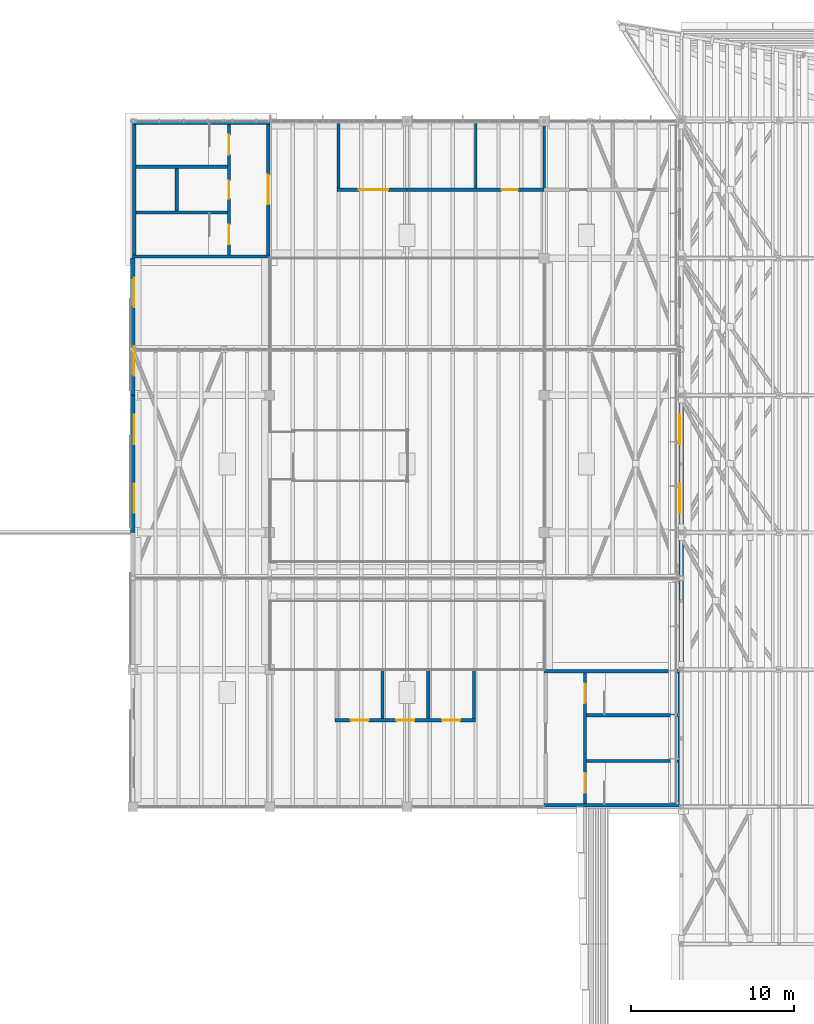
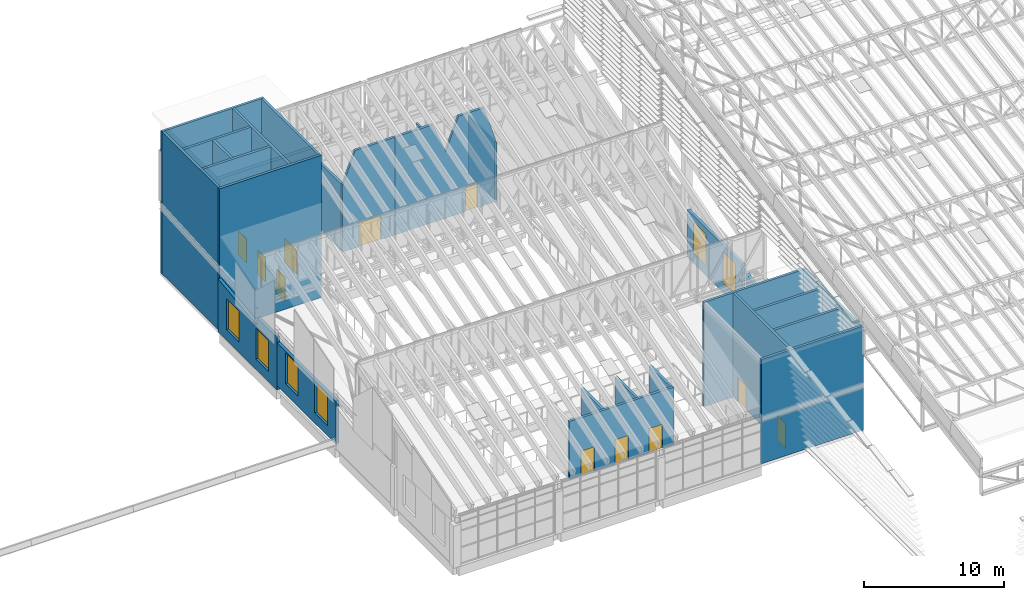
# One storey, part 64 of 91: 27 walls, 11 doors, 6 windows, 17 openings.
"""IFC4 building model written with IfcOpenShell, lengths in metres."""

from ifc_helpers import new_model, si_unit, direction, frame, frame_2d, origin, place, context, subcontext, project, spatial, polyline, rectangle, outline, extrude, material, layer, layer_set, type_object, element, fill, save


model = new_model("IFC4")

# Units and contexts
model_context = context("Model", 3, precision=1e-05, world=origin(), true_north=direction((0.0, 1.0)))
body_context = subcontext(model_context, "Body", "Model", "MODEL_VIEW")
ifc_project = project(units=[si_unit("LENGTHUNIT", "METRE"), si_unit("AREAUNIT", "SQUARE_METRE"), si_unit("VOLUMEUNIT", "CUBIC_METRE"), si_unit("PLANEANGLEUNIT", "RADIAN"), si_unit("MASSUNIT", "GRAM", prefix="KILO")], contexts=[model_context])

# Site, building, storey
site_placement = place(None, origin())
site = spatial("IfcSite", under=ifc_project, at=site_placement, CompositionType="ELEMENT")
building_placement = place(site_placement, origin())
building = spatial("IfcBuilding", under=site, at=building_placement, Name="Almond Square Museum", CompositionType="ELEMENT")
storey_placement = place(building_placement, frame((0.0, 0.0, 30.0)))
storey = spatial("IfcBuildingStorey", under=building, at=storey_placement, Name="L05", CompositionType="ELEMENT", Elevation=30.0)

# Wall
ifc_material_1 = material(Name="Concrete C30/37", Category="concrete")
ifc_layer_1 = layer(ifc_material_1, 0.260009765625)
ifc_layer_set_1 = layer_set([ifc_layer_1], Name="Concrete C30/37")
wall_type_1 = type_object("IfcWallType", Name="Atrium gable wall 260 with timber fins", PredefinedType="SOLIDWALL", material=ifc_layer_set_1)
wall_1_placement = place(storey_placement, frame((106.800048828125, 75.60009765625, 0.0), z_axis=(0.0, 0.0, 1.0), x_axis=(0.0, 1.0, 0.0)))
element("IfcWall", 1, at=wall_1_placement, inside=storey, type_object=wall_type_1, Name="External wall W7 V2 L05 E01", PredefinedType="SOLIDWALL", context=body_context, shape_type="SweptSolid", body=[
    extrude(outline(polyline([(0.0, 0.0), (8.099853515625, 0.0), (8.10009765625, 3.643310546875), (5.60107421875, 3.137451171875), (5.59912109375, 3.643310546875), (0.0, 3.643310546875), (0.0, 0.0)])), frame((0.0, 0.1298828125, 0.0), z_axis=(0.0, -1.0, 0.0), x_axis=(1.0, 0.0, 0.0)), (0.0, 0.0, 1.0), 0.260009765625),
])

# Wall, openings, windows
wall_2_placement = place(storey_placement, frame((106.800048828125, 84.300048828125, 0.0), z_axis=(0.0, 0.0, 1.0), x_axis=(0.0, 1.0, 0.0)))
wall_2 = element("IfcWall", 2, at=wall_2_placement, inside=storey, type_object=wall_type_1, Name="External wall W7 V2 L05 E02", PredefinedType="SOLIDWALL", context=body_context, shape_type="SweptSolid", body=[
    extrude(outline(polyline([(0.0, 0.0), (7.800048828125, 0.0), (7.800048828125, 4.123291015625), (0.0, 4.123291015625), (0.0, 0.0)])), frame((0.0, 0.1298828125, 0.0), z_axis=(0.0, -1.0, 0.0), x_axis=(1.0, 0.0, 0.0)), (0.0, 0.0, 1.0), 0.260009765625),
])
opening_1_placement = place(wall_2_placement, frame((0.89990234375, 0.0, 0.89990234375)))
opening_1 = element("IfcOpeningElement", 3, at=opening_1_placement, cuts=wall_2, Name="Opening W5001", PredefinedType="OPENING", context=body_context, shape_type="SweptSolid", body=[
    extrude(rectangle(XDim=1.800048828125, YDim=2.699951171875, at=frame_2d((0.89990234375, 1.35009765625))), frame((0.0, 0.139892578125, 0.0), z_axis=(0.0, -1.0, 0.0), x_axis=(1.0, 0.0, 0.0)), (0.0, 0.0, 1.0), 0.280029296875),
])
opening_2_placement = place(wall_2_placement, frame((5.10009765625, 0.0, 0.89990234375)))
opening_2 = element("IfcOpeningElement", 4, at=opening_2_placement, cuts=wall_2, Name="Opening W5002", PredefinedType="OPENING", context=body_context, shape_type="SweptSolid", body=[
    extrude(rectangle(XDim=1.800048828125, YDim=2.699951171875, at=frame_2d((0.89990234375, 1.35009765625))), frame((0.0, 0.139892578125, 0.0), z_axis=(0.0, -1.0, 0.0), x_axis=(1.0, 0.0, 0.0)), (0.0, 0.0, 1.0), 0.280029296875),
])
ifc_material_2 = material(Name="Aluminium frame and laminated glass", Category="aluminium")
window_type = type_object("IfcWindowType", Name="Fixed gallery window", PartitioningType="SINGLE_PANEL", PredefinedType="WINDOW", material=ifc_material_2)
window_1_placement = place(opening_1_placement, origin())
window_1 = element("IfcWindow", 5, at=window_1_placement, inside=storey, type_object=window_type, Name="Fixed gallery window W5001", OverallHeight=2.699951171875, OverallWidth=1.800048828125, PartitioningType="SINGLE_PANEL", PredefinedType="WINDOW", context=body_context, shape_type="SweptSolid", body=[
    extrude(rectangle(XDim=1.800048828125, YDim=2.699951171875, at=frame_2d((0.89990234375, 1.35009765625))), frame((0.0, 0.110107421875, 0.0), z_axis=(0.0, -1.0, 0.0), x_axis=(1.0, 0.0, 0.0)), (0.0, 0.0, 1.0), 0.06005859375),
])
fill(opening_1, window_1)
window_2_placement = place(opening_2_placement, origin())
window_2 = element("IfcWindow", 6, at=window_2_placement, inside=storey, type_object=window_type, Name="Fixed gallery window W5002", OverallHeight=2.699951171875, OverallWidth=1.800048828125, PartitioningType="SINGLE_PANEL", PredefinedType="WINDOW", context=body_context, shape_type="SweptSolid", body=[
    extrude(rectangle(XDim=1.800048828125, YDim=2.699951171875, at=frame_2d((0.89990234375, 1.35009765625))), frame((0.0, 0.110107421875, 0.0), z_axis=(0.0, -1.0, 0.0), x_axis=(1.0, 0.0, 0.0)), (0.0, 0.0, 1.0), 0.06005859375),
])
fill(opening_2, window_2)

wall_3_placement = place(storey_placement, frame((73.199951171875, 92.39990234375, 0.0), z_axis=(0.0, 0.0, 1.0), x_axis=(0.0, 1.0, 0.0)))
wall_3 = element("IfcWall", 7, at=wall_3_placement, inside=storey, type_object=wall_type_1, Name="External wall W7 V2 L05 W01", PredefinedType="SOLIDWALL", context=body_context, shape_type="SweptSolid", body=[
    extrude(outline(polyline([(0.0, 0.0), (8.400146484375, 0.0), (8.39990234375, 4.603271484375), (2.801025390625, 3.9375), (2.799072265625, 4.603271484375), (0.0, 4.603271484375), (0.0, 0.0)])), frame((0.0, 0.1298828125, 0.0), z_axis=(0.0, -1.0, 0.0), x_axis=(1.0, 0.0, 0.0)), (0.0, 0.0, 1.0), 0.260009765625),
])
opening_3_placement = place(wall_3_placement, frame((1.199951171875, 0.0, 0.89990234375)))
opening_3 = element("IfcOpeningElement", 8, at=opening_3_placement, cuts=wall_3, Name="Opening W5007", PredefinedType="OPENING", context=body_context, shape_type="SweptSolid", body=[
    extrude(rectangle(XDim=1.800048828125, YDim=2.699951171875, at=frame_2d((0.89990234375, 1.35009765625))), frame((0.0, 0.139892578125, 0.0), z_axis=(0.0, -1.0, 0.0), x_axis=(1.0, 0.0, 0.0)), (0.0, 0.0, 1.0), 0.280029296875),
])
opening_4_placement = place(wall_3_placement, frame((5.39990234375, 0.0, 0.89990234375)))
opening_4 = element("IfcOpeningElement", 9, at=opening_4_placement, cuts=wall_3, Name="Opening W5008", PredefinedType="OPENING", context=body_context, shape_type="SweptSolid", body=[
    extrude(rectangle(XDim=1.800048828125, YDim=2.699951171875, at=frame_2d((0.89990234375, 1.35009765625))), frame((0.0, 0.139892578125, 0.0), z_axis=(0.0, -1.0, 0.0), x_axis=(1.0, 0.0, 0.0)), (0.0, 0.0, 1.0), 0.280029296875),
])
window_3_placement = place(opening_3_placement, origin())
window_3 = element("IfcWindow", 10, at=window_3_placement, inside=storey, type_object=window_type, Name="Fixed gallery window W5007", OverallHeight=2.699951171875, OverallWidth=1.800048828125, PartitioningType="SINGLE_PANEL", PredefinedType="WINDOW", context=body_context, shape_type="SweptSolid", body=[
    extrude(rectangle(XDim=1.800048828125, YDim=2.699951171875, at=frame_2d((0.89990234375, 1.35009765625))), frame((0.0, -0.050048828125, 0.0), z_axis=(0.0, -1.0, 0.0), x_axis=(1.0, 0.0, 0.0)), (0.0, 0.0, 1.0), 0.06005859375),
])
fill(opening_3, window_3)
window_4_placement = place(opening_4_placement, origin())
window_4 = element("IfcWindow", 11, at=window_4_placement, inside=storey, type_object=window_type, Name="Fixed gallery window W5008", OverallHeight=2.699951171875, OverallWidth=1.800048828125, PartitioningType="SINGLE_PANEL", PredefinedType="WINDOW", context=body_context, shape_type="SweptSolid", body=[
    extrude(rectangle(XDim=1.800048828125, YDim=2.699951171875, at=frame_2d((0.89990234375, 1.35009765625))), frame((0.0, -0.050048828125, 0.0), z_axis=(0.0, -1.0, 0.0), x_axis=(1.0, 0.0, 0.0)), (0.0, 0.0, 1.0), 0.06005859375),
])
fill(opening_4, window_4)

wall_4_placement = place(storey_placement, frame((73.199951171875, 84.0, 0.39990234375), z_axis=(0.0, 0.0, 1.0), x_axis=(0.0, 1.0, 0.0)))
wall_4 = element("IfcWall", 12, at=wall_4_placement, inside=storey, type_object=wall_type_1, Name="External wall W7 V2 L05 W02", PredefinedType="SOLIDWALL", context=body_context, shape_type="SweptSolid", body=[
    extrude(outline(polyline([(0.0, 0.0), (8.39990234375, 0.0), (8.39990234375, 3.723388671875), (0.0, 3.723388671875), (0.0, 0.0)])), frame((0.0, 0.1298828125, 0.0), z_axis=(0.0, -1.0, 0.0), x_axis=(1.0, 0.0, 0.0)), (0.0, 0.0, 1.0), 0.260009765625),
])
opening_5_placement = place(wall_4_placement, frame((1.199951171875, 0.0, 0.89990234375)))
opening_5 = element("IfcOpeningElement", 13, at=opening_5_placement, cuts=wall_4, Name="Opening W5009", PredefinedType="OPENING", context=body_context, shape_type="SweptSolid", body=[
    extrude(rectangle(XDim=1.800048828125, YDim=2.699951171875, at=frame_2d((0.89990234375, 1.35009765625))), frame((0.0, 0.139892578125, 0.0), z_axis=(0.0, -1.0, 0.0), x_axis=(1.0, 0.0, 0.0)), (0.0, 0.0, 1.0), 0.280029296875),
])
opening_6_placement = place(wall_4_placement, frame((5.39990234375, 0.0, 0.89990234375)))
opening_6 = element("IfcOpeningElement", 14, at=opening_6_placement, cuts=wall_4, Name="Opening W5010", PredefinedType="OPENING", context=body_context, shape_type="SweptSolid", body=[
    extrude(rectangle(XDim=1.800048828125, YDim=2.699951171875, at=frame_2d((0.89990234375, 1.35009765625))), frame((0.0, 0.139892578125, 0.0), z_axis=(0.0, -1.0, 0.0), x_axis=(1.0, 0.0, 0.0)), (0.0, 0.0, 1.0), 0.280029296875),
])
window_5_placement = place(opening_5_placement, origin())
window_5 = element("IfcWindow", 15, at=window_5_placement, inside=storey, type_object=window_type, Name="Fixed gallery window W5009", OverallHeight=2.699951171875, OverallWidth=1.800048828125, PartitioningType="SINGLE_PANEL", PredefinedType="WINDOW", context=body_context, shape_type="SweptSolid", body=[
    extrude(rectangle(XDim=1.800048828125, YDim=2.699951171875, at=frame_2d((0.89990234375, 1.35009765625))), frame((0.0, -0.050048828125, 0.0), z_axis=(0.0, -1.0, 0.0), x_axis=(1.0, 0.0, 0.0)), (0.0, 0.0, 1.0), 0.06005859375),
])
fill(opening_5, window_5)
window_6_placement = place(opening_6_placement, origin())
window_6 = element("IfcWindow", 16, at=window_6_placement, inside=storey, type_object=window_type, Name="Fixed gallery window W5010", OverallHeight=2.699951171875, OverallWidth=1.800048828125, PartitioningType="SINGLE_PANEL", PredefinedType="WINDOW", context=body_context, shape_type="SweptSolid", body=[
    extrude(rectangle(XDim=1.800048828125, YDim=2.699951171875, at=frame_2d((0.89990234375, 1.35009765625))), frame((0.0, -0.050048828125, 0.0), z_axis=(0.0, -1.0, 0.0), x_axis=(1.0, 0.0, 0.0)), (0.0, 0.0, 1.0), 0.06005859375),
])
fill(opening_6, window_6)

# Wall, opening, door
ifc_material_3 = material(Name="Concrete blockwork 200", Category="masonry")
ifc_layer_2 = layer(ifc_material_3, 0.199951171875)
ifc_layer_set_2 = layer_set([ifc_layer_2], Name="Concrete blockwork 200")
wall_type_2 = type_object("IfcWallType", Name="Fire partition 200 blockwork", PredefinedType="PARTITIONING", material=ifc_layer_set_2)
wall_5_placement = place(storey_placement, frame((85.699951171875, 105.0, 0.0), z_axis=(0.0, 0.0, 1.0), x_axis=(1.0, 0.0, 0.0)))
wall_5 = element("IfcWall", 17, at=wall_5_placement, inside=storey, type_object=wall_type_2, Name="L05 partition 1", PredefinedType="PARTITIONING", context=body_context, shape_type="SweptSolid", body=[
    extrude(outline(polyline([(0.0, 0.0), (4.300048828125, 0.0), (4.300048828125, 8.49609375), (1.050048828125, 8.49609375), (0.0, 5.7880859375), (0.0, 0.0)])), frame((0.0, 0.10009765625, 0.0), z_axis=(0.0, -1.0, 0.0), x_axis=(1.0, 0.0, 0.0)), (0.0, 0.0, 1.0), 0.199951171875),
])
opening_7_placement = place(wall_5_placement, frame((1.35009765625, 0.0, 0.0)))
opening_7 = element("IfcOpeningElement", 18, at=opening_7_placement, cuts=wall_5, Name="Opening D5101", PredefinedType="OPENING", context=body_context, shape_type="SweptSolid", body=[
    extrude(rectangle(XDim=1.800048828125, YDim=2.10009765625, at=frame_2d((0.89990234375, 1.050048828125))), frame((0.0, 0.10986328125, 0.0), z_axis=(0.0, -1.0, 0.0), x_axis=(1.0, 0.0, 0.0)), (0.0, 0.0, 1.0), 0.219970703125),
])
ifc_material_4 = material(Name="Steel", Category="steel")
door_type_1 = type_object("IfcDoorType", Name="Fire door 1800 x 2100 FD60 double", OperationType="NOTDEFINED", PredefinedType="DOOR", material=ifc_material_4)
door_1_placement = place(opening_7_placement, origin())
door_1 = element("IfcDoor", 19, at=door_1_placement, inside=storey, type_object=door_type_1, Name="L05 door Sky Lounge to Atrium Rim Lobby 1", OperationType="DOUBLE_DOOR_SINGLE_SWING", OverallHeight=2.10009765625, OverallWidth=1.800048828125, PredefinedType="DOOR", context=body_context, shape_type="SweptSolid", body=[
    extrude(rectangle(XDim=1.800048828125, YDim=2.10009765625, at=frame_2d((0.89990234375, 1.050048828125))), frame((0.0, 0.02490234375, 0.0), z_axis=(0.0, -1.0, 0.0), x_axis=(1.0, 0.0, 0.0)), (0.0, 0.0, 1.0), 0.050048828125),
])
fill(opening_7, door_1)

wall_6_placement = place(storey_placement, frame((90.0, 105.0, 0.0), z_axis=(0.0, 0.0, 1.0), x_axis=(1.0, 0.0, 0.0)))
wall_6 = element("IfcWall", 20, at=wall_6_placement, inside=storey, type_object=wall_type_2, Name="L05 partition 2", PredefinedType="PARTITIONING", context=body_context, shape_type="SweptSolid", body=[
    extrude(outline(polyline([(0.0, 0.0), (8.39990234375, 0.0), (8.39990234375, 5.052978515625), (7.35009765625, 8.49609375), (5.25, 8.49609375), (4.199951171875, 5.7880859375), (3.14990234375, 8.49609375), (0.0, 8.49609375), (0.0, 0.0)])), frame((0.0, 0.10009765625, 0.0), z_axis=(0.0, -1.0, 0.0), x_axis=(1.0, 0.0, 0.0)), (0.0, 0.0, 1.0), 0.199951171875),
])
opening_8_placement = place(wall_6_placement, frame((5.800048828125, 0.0, 0.0)))
opening_8 = element("IfcOpeningElement", 21, at=opening_8_placement, cuts=wall_6, Name="Opening D5102", PredefinedType="OPENING", context=body_context, shape_type="SweptSolid", body=[
    extrude(rectangle(XDim=1.0, YDim=2.10009765625, at=frame_2d((0.5, 1.050048828125))), frame((0.0, 0.10986328125, 0.0), z_axis=(0.0, -1.0, 0.0), x_axis=(1.0, 0.0, 0.0)), (0.0, 0.0, 1.0), 0.219970703125),
])
ifc_material_5 = material(Name="Steel", Category="steel")
door_type_2 = type_object("IfcDoorType", Name="Fire door 1000 x 2100 FD60 single", OperationType="NOTDEFINED", PredefinedType="DOOR", material=ifc_material_5)
door_2_placement = place(opening_8_placement, origin())
door_2 = element("IfcDoor", 22, at=door_2_placement, inside=storey, type_object=door_type_2, Name="L05 door Women's WC to Atrium Rim Lobby 1", OperationType="SINGLE_SWING_LEFT", OverallHeight=2.10009765625, OverallWidth=1.0, PredefinedType="DOOR", context=body_context, shape_type="SweptSolid", body=[
    extrude(rectangle(XDim=1.0, YDim=2.10009765625, at=frame_2d((0.5, 1.050048828125))), frame((0.0, 0.02490234375, 0.0), z_axis=(0.0, -1.0, 0.0), x_axis=(1.0, 0.0, 0.0)), (0.0, 0.0, 1.0), 0.050048828125),
])
fill(opening_8, door_2)

# Walls
wall_7_placement = place(storey_placement, frame((85.800048828125, 105.10009765625, 0.0), z_axis=(0.0, 0.0, 1.0), x_axis=(0.0, 1.0, 0.0)))
element("IfcWall", 23, at=wall_7_placement, inside=storey, type_object=wall_type_2, Name="L05 partition 4", PredefinedType="PARTITIONING", context=body_context, shape_type="SweptSolid", body=[
    extrude(rectangle(XDim=3.949951171875, YDim=0.199951171875, at=frame_2d((1.97509765625, 0.0))), origin(), (0.0, 0.0, 1.0), 5.7880859375),
])
ifc_material_6 = material(Name="Plasterboard on steel stud", Category="steel")
ifc_layer_3 = layer(ifc_material_6, 0.14990234375)
ifc_layer_set_3 = layer_set([ifc_layer_3], Name="Plasterboard on steel stud")
wall_type_3 = type_object("IfcWallType", Name="Partition 150 plasterboard on steel stud", PredefinedType="PARTITIONING", material=ifc_layer_set_3)
wall_8_placement = place(storey_placement, frame((94.199951171875, 105.10009765625, 0.0), z_axis=(0.0, 0.0, 1.0), x_axis=(0.0, 1.0, 0.0)))
element("IfcWall", 24, at=wall_8_placement, inside=storey, type_object=wall_type_3, Name="L05 partition 5", PredefinedType="PARTITIONING", context=body_context, shape_type="SweptSolid", body=[
    extrude(rectangle(XDim=3.949951171875, YDim=0.14990234375, at=frame_2d((1.97509765625, 0.0))), origin(), (0.0, 0.0, 1.0), 5.7880859375),
])
wall_9_placement = place(storey_placement, frame((98.39990234375, 105.10009765625, 0.0), z_axis=(0.0, 0.0, 1.0), x_axis=(0.0, 1.0, 0.0)))
element("IfcWall", 25, at=wall_9_placement, inside=storey, type_object=wall_type_3, Name="L05 partition 6", PredefinedType="PARTITIONING", context=body_context, shape_type="SweptSolid", body=[
    extrude(rectangle(XDim=3.7998046875, YDim=0.14990234375, at=frame_2d((1.89990234375, 0.0))), origin(), (0.0, 0.0, 1.0), 5.052978515625),
])
ifc_material_7 = material(Name="Concrete C40/50", Category="concrete")
ifc_layer_4 = layer(ifc_material_7, 0.199951171875)
ifc_layer_set_4 = layer_set([ifc_layer_4], Name="Concrete C40/50")
wall_type_4 = type_object("IfcWallType", Name="RC shear wall 200 C40/50", PredefinedType="SHEAR", material=ifc_layer_set_4)
for number, where, z_axis, x_axis, name in (
    (26, (73.199951171875, 100.89990234375, 0.0), (0.0, 0.0, 1.0), (1.0, 0.0, 0.0), "Core A1 south wall L05"),
    (27, (73.199951171875, 109.10009765625, 0.0), (0.0, 0.0, 1.0), (1.0, 0.0, 0.0), "Core A1 north wall L05"),
):
    element("IfcWall", number, at=place(storey_placement, frame(where, z_axis=z_axis, x_axis=x_axis)), inside=storey, type_object=wall_type_4, Name=name, PredefinedType="SHEAR", context=body_context, shape_type="SweptSolid", body=[
        extrude(rectangle(XDim=8.400146484375, YDim=0.199951171875, at=frame_2d((4.2001953125, 0.0))), origin(), (0.0, 0.0, 1.0), 12.3798828125),
    ])
wall_10_placement = place(storey_placement, frame((73.300048828125, 101.0, 0.0), z_axis=(0.0, 0.0, 1.0), x_axis=(0.0, 1.0, 0.0)))
element("IfcWall", 28, at=wall_10_placement, inside=storey, type_object=wall_type_4, Name="Core A1 west wall L05", PredefinedType="SHEAR", context=body_context, shape_type="SweptSolid", body=[
    extrude(rectangle(XDim=8.0, YDim=0.199951171875, at=frame_2d((4.0, 0.0))), origin(), (0.0, 0.0, 1.0), 12.3798828125),
])

# Wall, opening, door
wall_11_placement = place(storey_placement, frame((81.5, 101.0, 0.0), z_axis=(0.0, 0.0, 1.0), x_axis=(0.0, 1.0, 0.0)))
wall_11 = element("IfcWall", 29, at=wall_11_placement, inside=storey, type_object=wall_type_4, Name="Core A1 east wall L05", PredefinedType="SHEAR", context=body_context, shape_type="SweptSolid", body=[
    extrude(rectangle(XDim=8.0, YDim=0.199951171875, at=frame_2d((4.0, 0.0))), origin(), (0.0, 0.0, 1.0), 12.3798828125),
])
opening_9_placement = place(wall_11_placement, frame((3.10009765625, 0.0, 0.0)))
opening_9 = element("IfcOpeningElement", 30, at=opening_9_placement, cuts=wall_11, Name="Opening D5105", PredefinedType="OPENING", context=body_context, shape_type="SweptSolid", body=[
    extrude(rectangle(XDim=1.800048828125, YDim=2.10009765625, at=frame_2d((0.89990234375, 1.050048828125))), frame((0.0, 0.10986328125, 0.0), z_axis=(0.0, -1.0, 0.0), x_axis=(1.0, 0.0, 0.0)), (0.0, 0.0, 1.0), 0.219970703125),
])
door_3_placement = place(opening_9_placement, origin())
door_3 = element("IfcDoor", 31, at=door_3_placement, inside=storey, type_object=door_type_1, Name="L05 stair core A1 lobby door", OperationType="DOUBLE_DOOR_SINGLE_SWING", OverallHeight=2.10009765625, OverallWidth=1.800048828125, PredefinedType="DOOR", context=body_context, shape_type="SweptSolid", body=[
    extrude(rectangle(XDim=1.800048828125, YDim=2.10009765625, at=frame_2d((0.89990234375, 1.050048828125))), frame((0.0, 0.02490234375, 0.0), z_axis=(0.0, -1.0, 0.0), x_axis=(1.0, 0.0, 0.0)), (0.0, 0.0, 1.0), 0.050048828125),
])
fill(opening_9, door_3)

# Wall, openings, doors
wall_12_placement = place(storey_placement, frame((79.10009765625, 101.0, 0.0), z_axis=(0.0, 0.0, 1.0), x_axis=(0.0, 1.0, 0.0)))
wall_12 = element("IfcWall", 32, at=wall_12_placement, inside=storey, type_object=wall_type_4, Name="Core A1 lobby wall L05", PredefinedType="SHEAR", context=body_context, shape_type="SweptSolid", body=[
    extrude(rectangle(XDim=8.0, YDim=0.199951171875, at=frame_2d((4.0, 0.0))), origin(), (0.0, 0.0, 1.0), 12.3798828125),
])
opening_10_placement = place(wall_12_placement, frame((0.64990234375, 0.0, 0.0)))
opening_10 = element("IfcOpeningElement", 33, at=opening_10_placement, cuts=wall_12, Name="Opening D5106", PredefinedType="OPENING", context=body_context, shape_type="SweptSolid", body=[
    extrude(rectangle(XDim=1.199951171875, YDim=2.10009765625, at=frame_2d((0.60009765625, 1.050048828125))), frame((0.0, 0.10986328125, 0.0), z_axis=(0.0, -1.0, 0.0), x_axis=(1.0, 0.0, 0.0)), (0.0, 0.0, 1.0), 0.219970703125),
])
opening_11_placement = place(wall_12_placement, frame((6.14990234375, 0.0, 0.0)))
opening_11 = element("IfcOpeningElement", 34, at=opening_11_placement, cuts=wall_12, Name="Opening D5107", PredefinedType="OPENING", context=body_context, shape_type="SweptSolid", body=[
    extrude(rectangle(XDim=1.199951171875, YDim=2.10009765625, at=frame_2d((0.60009765625, 1.050048828125))), frame((0.0, 0.10986328125, 0.0), z_axis=(0.0, -1.0, 0.0), x_axis=(1.0, 0.0, 0.0)), (0.0, 0.0, 1.0), 0.219970703125),
])
opening_12_placement = place(wall_12_placement, frame((3.449951171875, 0.0, 0.0)))
opening_12 = element("IfcOpeningElement", 35, at=opening_12_placement, cuts=wall_12, Name="Opening D5108", PredefinedType="OPENING", context=body_context, shape_type="SweptSolid", body=[
    extrude(rectangle(XDim=1.10009765625, YDim=2.10009765625, at=frame_2d((0.550048828125, 1.050048828125))), frame((0.0, 0.10986328125, 0.0), z_axis=(0.0, -1.0, 0.0), x_axis=(1.0, 0.0, 0.0)), (0.0, 0.0, 1.0), 0.219970703125),
])
ifc_material_8 = material(Name="Steel", Category="steel")
door_type_3 = type_object("IfcDoorType", Name="Fire door 1200 x 2100 FD120 stair", OperationType="NOTDEFINED", PredefinedType="DOOR", material=ifc_material_8)
door_4_placement = place(opening_10_placement, origin())
door_4 = element("IfcDoor", 36, at=door_4_placement, inside=storey, type_object=door_type_3, Name="L05 stair A1-1 door", OperationType="SINGLE_SWING_LEFT", OverallHeight=2.10009765625, OverallWidth=1.199951171875, PredefinedType="DOOR", context=body_context, shape_type="SweptSolid", body=[
    extrude(rectangle(XDim=1.199951171875, YDim=2.10009765625, at=frame_2d((0.60009765625, 1.050048828125))), frame((0.0, 0.02490234375, 0.0), z_axis=(0.0, -1.0, 0.0), x_axis=(1.0, 0.0, 0.0)), (0.0, 0.0, 1.0), 0.050048828125),
])
fill(opening_10, door_4)
door_5_placement = place(opening_11_placement, origin())
door_5 = element("IfcDoor", 37, at=door_5_placement, inside=storey, type_object=door_type_3, Name="L05 stair A1-2 door", OperationType="SINGLE_SWING_RIGHT", OverallHeight=2.10009765625, OverallWidth=1.199951171875, PredefinedType="DOOR", context=body_context, shape_type="SweptSolid", body=[
    extrude(rectangle(XDim=1.199951171875, YDim=2.10009765625, at=frame_2d((0.60009765625, 1.050048828125))), frame((0.0, 0.02490234375, 0.0), z_axis=(0.0, -1.0, 0.0), x_axis=(1.0, 0.0, 0.0)), (0.0, 0.0, 1.0), 0.050048828125),
])
fill(opening_11, door_5)
ifc_material_9 = material(Name="Stainless steel", Category="steel")
door_type_4 = type_object("IfcDoorType", Name="Lift landing door 1100 x 2100", OperationType="NOTDEFINED", PredefinedType="DOOR", material=ifc_material_9)
door_6_placement = place(opening_12_placement, origin())
door_6 = element("IfcDoor", 38, at=door_6_placement, inside=storey, type_object=door_type_4, Name="L05 lift PL-A1 landing door", OperationType="DOUBLE_DOOR_SLIDING", OverallHeight=2.10009765625, OverallWidth=1.10009765625, PredefinedType="DOOR", context=body_context, shape_type="SweptSolid", body=[
    extrude(rectangle(XDim=1.10009765625, YDim=2.10009765625, at=frame_2d((0.550048828125, 1.050048828125))), frame((0.0, 0.02490234375, 0.0), z_axis=(0.0, -1.0, 0.0), x_axis=(1.0, 0.0, 0.0)), (0.0, 0.0, 1.0), 0.050048828125),
])
fill(opening_12, door_6)

# Walls
for number, where, z_axis, x_axis, name in (
    (39, (73.39990234375, 103.60009765625, 0.0), (0.0, 0.0, 1.0), (1.0, 0.0, 0.0), "Core A1 partition wall L05"),
    (40, (73.39990234375, 106.39990234375, 0.0), (0.0, 0.0, 1.0), (1.0, 0.0, 0.0), "Core A1 partition wall L05"),
):
    element("IfcWall", number, at=place(storey_placement, frame(where, z_axis=z_axis, x_axis=x_axis)), inside=storey, type_object=wall_type_4, Name=name, PredefinedType="SHEAR", context=body_context, shape_type="SweptSolid", body=[
        extrude(rectangle(XDim=5.60009765625, YDim=0.199951171875, at=frame_2d((2.800048828125, 0.0))), origin(), (0.0, 0.0, 1.0), 12.3798828125),
    ])
wall_13_placement = place(storey_placement, frame((75.89990234375, 103.699951171875, 0.0), z_axis=(0.0, 0.0, 1.0), x_axis=(0.0, 1.0, 0.0)))
element("IfcWall", 41, at=wall_13_placement, inside=storey, type_object=wall_type_4, Name="Core A1 partition wall L05", PredefinedType="SHEAR", context=body_context, shape_type="SweptSolid", body=[
    extrude(rectangle(XDim=2.60009765625, YDim=0.199951171875, at=frame_2d((1.300048828125, 0.0))), origin(), (0.0, 0.0, 1.0), 12.3798828125),
])
for number, where, z_axis, x_axis, name in (
    (42, (98.39990234375, 67.300048828125, 0.0), (0.0, 0.0, 1.0), (1.0, 0.0, 0.0), "Core A2 south wall L05"),
    (43, (98.39990234375, 75.5, 0.0), (0.0, 0.0, 1.0), (1.0, 0.0, 0.0), "Core A2 north wall L05"),
):
    element("IfcWall", number, at=place(storey_placement, frame(where, z_axis=z_axis, x_axis=x_axis)), inside=storey, type_object=wall_type_4, Name=name, PredefinedType="SHEAR", context=body_context, shape_type="SweptSolid", body=[
        extrude(rectangle(XDim=8.400146484375, YDim=0.199951171875, at=frame_2d((4.2001953125, 0.0))), origin(), (0.0, 0.0, 1.0), 9.0673828125),
    ])
wall_14_placement = place(storey_placement, frame((106.699951171875, 67.39990234375, 0.0), z_axis=(0.0, 0.0, 1.0), x_axis=(0.0, 1.0, 0.0)))
element("IfcWall", 44, at=wall_14_placement, inside=storey, type_object=wall_type_4, Name="Core A2 east wall L05", PredefinedType="SHEAR", context=body_context, shape_type="SweptSolid", body=[
    extrude(rectangle(XDim=8.0, YDim=0.199951171875, at=frame_2d((4.0, 0.0))), origin(), (0.0, 0.0, 1.0), 9.0673828125),
])

# Wall, openings, doors
wall_15_placement = place(storey_placement, frame((100.89990234375, 67.39990234375, 0.0), z_axis=(0.0, 0.0, 1.0), x_axis=(0.0, 1.0, 0.0)))
wall_15 = element("IfcWall", 45, at=wall_15_placement, inside=storey, type_object=wall_type_4, Name="Core A2 lobby wall L05", PredefinedType="SHEAR", context=body_context, shape_type="SweptSolid", body=[
    extrude(rectangle(XDim=8.0, YDim=0.199951171875, at=frame_2d((4.0, 0.0))), origin(), (0.0, 0.0, 1.0), 9.0673828125),
])
opening_13_placement = place(wall_15_placement, frame((0.64990234375, 0.0, 0.0)))
opening_13 = element("IfcOpeningElement", 46, at=opening_13_placement, cuts=wall_15, Name="Opening D5110", PredefinedType="OPENING", context=body_context, shape_type="SweptSolid", body=[
    extrude(rectangle(XDim=1.199951171875, YDim=2.10009765625, at=frame_2d((0.60009765625, 1.050048828125))), frame((0.0, 0.10986328125, 0.0), z_axis=(0.0, -1.0, 0.0), x_axis=(1.0, 0.0, 0.0)), (0.0, 0.0, 1.0), 0.219970703125),
])
opening_14_placement = place(wall_15_placement, frame((6.14990234375, 0.0, 0.0)))
opening_14 = element("IfcOpeningElement", 47, at=opening_14_placement, cuts=wall_15, Name="Opening D5111", PredefinedType="OPENING", context=body_context, shape_type="SweptSolid", body=[
    extrude(rectangle(XDim=1.199951171875, YDim=2.10009765625, at=frame_2d((0.60009765625, 1.050048828125))), frame((0.0, 0.10986328125, 0.0), z_axis=(0.0, -1.0, 0.0), x_axis=(1.0, 0.0, 0.0)), (0.0, 0.0, 1.0), 0.219970703125),
])
door_7_placement = place(opening_13_placement, origin())
door_7 = element("IfcDoor", 48, at=door_7_placement, inside=storey, type_object=door_type_3, Name="L05 stair A2-1 door", OperationType="SINGLE_SWING_LEFT", OverallHeight=2.10009765625, OverallWidth=1.199951171875, PredefinedType="DOOR", context=body_context, shape_type="SweptSolid", body=[
    extrude(rectangle(XDim=1.199951171875, YDim=2.10009765625, at=frame_2d((0.60009765625, 1.050048828125))), frame((0.0, 0.02490234375, 0.0), z_axis=(0.0, -1.0, 0.0), x_axis=(1.0, 0.0, 0.0)), (0.0, 0.0, 1.0), 0.050048828125),
])
fill(opening_13, door_7)
door_8_placement = place(opening_14_placement, origin())
door_8 = element("IfcDoor", 49, at=door_8_placement, inside=storey, type_object=door_type_3, Name="L05 stair A2-2 door", OperationType="SINGLE_SWING_RIGHT", OverallHeight=2.10009765625, OverallWidth=1.199951171875, PredefinedType="DOOR", context=body_context, shape_type="SweptSolid", body=[
    extrude(rectangle(XDim=1.199951171875, YDim=2.10009765625, at=frame_2d((0.60009765625, 1.050048828125))), frame((0.0, 0.02490234375, 0.0), z_axis=(0.0, -1.0, 0.0), x_axis=(1.0, 0.0, 0.0)), (0.0, 0.0, 1.0), 0.050048828125),
])
fill(opening_14, door_8)

# Walls
for number, where, z_axis, x_axis, name in (
    (50, (101.0, 70.0, 0.0), (0.0, 0.0, 1.0), (1.0, 0.0, 0.0), "Core A2 partition wall L05"),
    (51, (101.0, 72.800048828125, 0.0), (0.0, 0.0, 1.0), (1.0, 0.0, 0.0), "Core A2 partition wall L05"),
):
    element("IfcWall", number, at=place(storey_placement, frame(where, z_axis=z_axis, x_axis=x_axis)), inside=storey, type_object=wall_type_4, Name=name, PredefinedType="SHEAR", context=body_context, shape_type="SweptSolid", body=[
        extrude(rectangle(XDim=5.60009765625, YDim=0.199951171875, at=frame_2d((2.800048828125, 0.0))), origin(), (0.0, 0.0, 1.0), 9.0673828125),
    ])

# Wall, openings, doors
wall_16_placement = place(storey_placement, frame((85.60009765625, 72.5, 0.0), z_axis=(0.0, 0.0, 1.0), x_axis=(1.0, 0.0, 0.0)))
wall_16 = element("IfcWall", 52, at=wall_16_placement, inside=storey, type_object=wall_type_4, Name="Atrium lift shaft south wall L05", PredefinedType="SHEAR", context=body_context, shape_type="SweptSolid", body=[
    extrude(rectangle(XDim=8.599853515625, YDim=0.199951171875, at=frame_2d((4.2998046875, 0.0))), origin(), (0.0, 0.0, 1.0), 5.0),
])
opening_15_placement = place(wall_16_placement, frame((0.949951171875, 0.0, 0.0)))
opening_15 = element("IfcOpeningElement", 53, at=opening_15_placement, cuts=wall_16, Name="Opening D5112", PredefinedType="OPENING", context=body_context, shape_type="SweptSolid", body=[
    extrude(rectangle(XDim=1.10009765625, YDim=2.10009765625, at=frame_2d((0.550048828125, 1.050048828125))), frame((0.0, 0.10986328125, 0.0), z_axis=(0.0, -1.0, 0.0), x_axis=(1.0, 0.0, 0.0)), (0.0, 0.0, 1.0), 0.219970703125),
])
opening_16_placement = place(wall_16_placement, frame((3.75, 0.0, 0.0)))
opening_16 = element("IfcOpeningElement", 54, at=opening_16_placement, cuts=wall_16, Name="Opening D5113", PredefinedType="OPENING", context=body_context, shape_type="SweptSolid", body=[
    extrude(rectangle(XDim=1.10009765625, YDim=2.10009765625, at=frame_2d((0.550048828125, 1.050048828125))), frame((0.0, 0.10986328125, 0.0), z_axis=(0.0, -1.0, 0.0), x_axis=(1.0, 0.0, 0.0)), (0.0, 0.0, 1.0), 0.219970703125),
])
opening_17_placement = place(wall_16_placement, frame((6.550048828125, 0.0, 0.0)))
opening_17 = element("IfcOpeningElement", 55, at=opening_17_placement, cuts=wall_16, Name="Opening D5114", PredefinedType="OPENING", context=body_context, shape_type="SweptSolid", body=[
    extrude(rectangle(XDim=1.10009765625, YDim=2.10009765625, at=frame_2d((0.550048828125, 1.050048828125))), frame((0.0, 0.10986328125, 0.0), z_axis=(0.0, -1.0, 0.0), x_axis=(1.0, 0.0, 0.0)), (0.0, 0.0, 1.0), 0.219970703125),
])
door_9_placement = place(opening_15_placement, origin())
door_9 = element("IfcDoor", 56, at=door_9_placement, inside=storey, type_object=door_type_4, Name="L05 atrium lift AL1 landing door", OperationType="DOUBLE_DOOR_SLIDING", OverallHeight=2.10009765625, OverallWidth=1.10009765625, PredefinedType="DOOR", context=body_context, shape_type="SweptSolid", body=[
    extrude(rectangle(XDim=1.10009765625, YDim=2.10009765625, at=frame_2d((0.550048828125, 1.050048828125))), frame((0.0, 0.02490234375, 0.0), z_axis=(0.0, -1.0, 0.0), x_axis=(1.0, 0.0, 0.0)), (0.0, 0.0, 1.0), 0.050048828125),
])
fill(opening_15, door_9)
door_10_placement = place(opening_16_placement, origin())
door_10 = element("IfcDoor", 57, at=door_10_placement, inside=storey, type_object=door_type_4, Name="L05 atrium lift AL2 landing door", OperationType="DOUBLE_DOOR_SLIDING", OverallHeight=2.10009765625, OverallWidth=1.10009765625, PredefinedType="DOOR", context=body_context, shape_type="SweptSolid", body=[
    extrude(rectangle(XDim=1.10009765625, YDim=2.10009765625, at=frame_2d((0.550048828125, 1.050048828125))), frame((0.0, 0.02490234375, 0.0), z_axis=(0.0, -1.0, 0.0), x_axis=(1.0, 0.0, 0.0)), (0.0, 0.0, 1.0), 0.050048828125),
])
fill(opening_16, door_10)
door_11_placement = place(opening_17_placement, origin())
door_11 = element("IfcDoor", 58, at=door_11_placement, inside=storey, type_object=door_type_4, Name="L05 atrium lift AL3 landing door", OperationType="DOUBLE_DOOR_SLIDING", OverallHeight=2.10009765625, OverallWidth=1.10009765625, PredefinedType="DOOR", context=body_context, shape_type="SweptSolid", body=[
    extrude(rectangle(XDim=1.10009765625, YDim=2.10009765625, at=frame_2d((0.550048828125, 1.050048828125))), frame((0.0, 0.02490234375, 0.0), z_axis=(0.0, -1.0, 0.0), x_axis=(1.0, 0.0, 0.0)), (0.0, 0.0, 1.0), 0.050048828125),
])
fill(opening_17, door_11)

# Walls
for number, where, z_axis, x_axis, name in (
    (59, (94.10009765625, 72.60009765625, 0.0), (0.0, 0.0, 1.0), (0.0, 1.0, 0.0), "Atrium lift shaft east wall L05"),
    (60, (88.5, 72.60009765625, 0.0), (0.0, 0.0, 1.0), (0.0, 1.0, 0.0), "Atrium lift shaft partition wall L05"),
    (61, (91.300048828125, 72.60009765625, 0.0), (0.0, 0.0, 1.0), (0.0, 1.0, 0.0), "Atrium lift shaft partition wall L05"),
):
    element("IfcWall", number, at=place(storey_placement, frame(where, z_axis=z_axis, x_axis=x_axis)), inside=storey, type_object=wall_type_4, Name=name, PredefinedType="SHEAR", context=body_context, shape_type="SweptSolid", body=[
        extrude(rectangle(XDim=3.0, YDim=0.199951171875, at=frame_2d((1.5, 0.0))), origin(), (0.0, 0.0, 1.0), 5.0),
    ])

save(model, "model.ifc")
